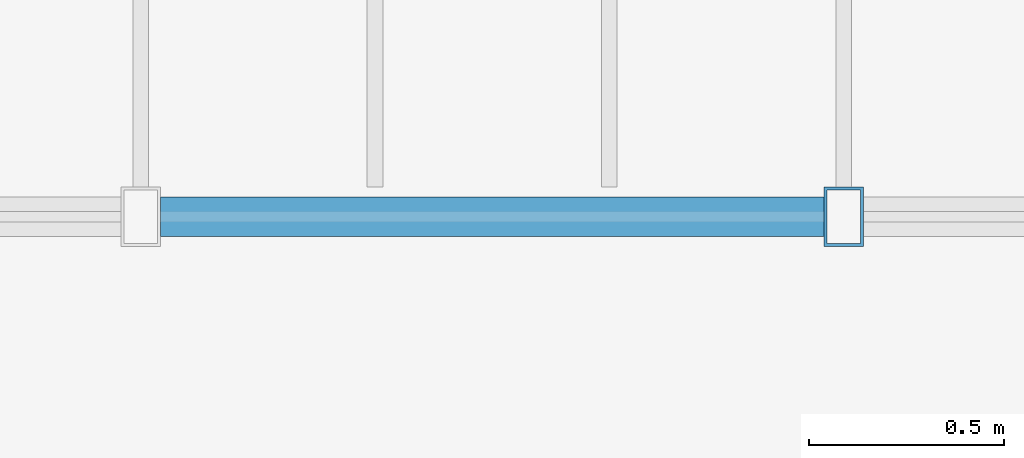
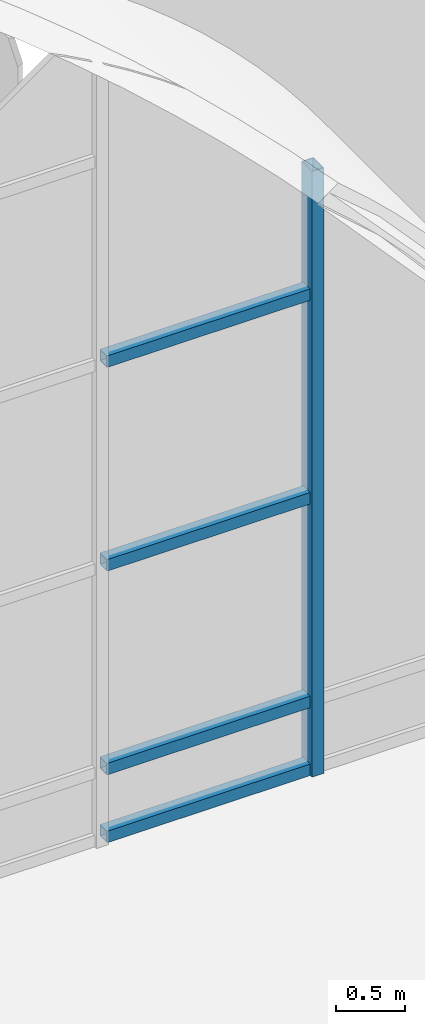
# One storey, part 42 of 169: 5 members, 1 element without a shape of its own.
"""IFC4 building model written with IfcOpenShell, lengths in metres."""

from ifc_helpers import new_model, si_unit, direction, frame, origin, origin_2d, place, context, subcontext, project, spatial, hollow_rectangle, extrude, material, layer, layer_set, material_profile, profile_set, type_object, element, aggregate, save


model = new_model("IFC4")

# Units and contexts
model_context = context("Model", 3, precision=1e-05, world=origin(), true_north=direction((0.0, 1.0)))
body_context = subcontext(model_context, "Body", "Model", "MODEL_VIEW")
ifc_project = project(units=[si_unit("LENGTHUNIT", "METRE"), si_unit("AREAUNIT", "SQUARE_METRE"), si_unit("VOLUMEUNIT", "CUBIC_METRE"), si_unit("PLANEANGLEUNIT", "RADIAN"), si_unit("MASSUNIT", "GRAM", prefix="KILO")], contexts=[model_context])

# Site, building, storey
site_placement = place(None, origin())
site = spatial("IfcSite", under=ifc_project, at=site_placement, CompositionType="ELEMENT")
building_placement = place(site_placement, origin())
building = spatial("IfcBuilding", under=site, at=building_placement, Name="Verrick Yard Athletic Hall", CompositionType="ELEMENT")
storey_placement = place(building_placement, frame((0.0, 0.0, 4.39990234375)))
storey = spatial("IfcBuildingStorey", under=building, at=storey_placement, Name="L01", CompositionType="ELEMENT", Elevation=4.39990234375)

# Curtain wall, members
ifc_material_1 = material(Name="Aluminium and glass curtain wall", Category="aluminium")
ifc_layer = layer(ifc_material_1, 0.14990234375)
ifc_layer_set = layer_set([ifc_layer], Name="Arcade glazing arch")
curtain_wall_type = type_object("IfcCurtainWallType", Name="Arcade glazing arch", PredefinedType="NOTDEFINED", material=ifc_layer_set)
curtain_wall_placement = place(storey_placement, origin())
curtain_wall = element("IfcCurtainWall", 1, at=curtain_wall_placement, inside=storey, type_object=curtain_wall_type, Name="Arcade glazing N6", PredefinedType="NOTDEFINED")
ifc_material_2 = material(Name="Structural steel HSS Class C 350W (CSA G40.20/G40.21)", Category="steel")
ifc_material_profile_1 = material_profile(ifc_material_2, hollow_rectangle(XDim=0.1015625, YDim=0.15234375, WallThickness=0.008056640625, at=origin_2d()), Name="HSS152x102x7.9")
ifc_profile_set_1 = profile_set([ifc_material_profile_1], Name="Structural steel HSS Class C 350W (CSA G40.20/G40.21)")
member_type_1 = type_object("IfcMemberType", Name="Curtain wall mullion HSS152x102x7.9", PredefinedType="MULLION", material=ifc_profile_set_1)
member_1_placement = place(storey_placement, frame((137.800048828125, 53.10009765625, 0.0), z_axis=(0.0, 0.0, 1.0), x_axis=(1.0, 0.0, 0.0)))
member_1 = element("IfcMember", 2, at=member_1_placement, type_object=member_type_1, Name="Arcade glazing N6 mullion 8", PredefinedType="MULLION", context=body_context, shape_type="SweptSolid", body=[
    extrude(hollow_rectangle(XDim=0.1015625, YDim=0.15234375, WallThickness=0.008056640625, at=origin_2d()), origin(), (0.0, 0.0, 1.0), 5.351806640625),
])
ifc_material_profile_2 = material_profile(ifc_material_2, hollow_rectangle(XDim=0.1015625, YDim=0.1015625, WallThickness=0.00634765625, at=origin_2d()), Name="HSS102x102x6.4")
ifc_profile_set_2 = profile_set([ifc_material_profile_2], Name="Structural steel HSS Class C 350W (CSA G40.20/G40.21)")
member_type_2 = type_object("IfcMemberType", Name="Curtain wall transom HSS102x102x6.4", PredefinedType="USERDEFINED", material=ifc_profile_set_2)
member_2_placement = place(storey_placement, frame((136.05078125, 53.10009765625, 0.05078125), z_axis=(1.0, 0.0, 0.0), x_axis=(0.0, 1.0, 0.0)))
member_2 = element("IfcMember", 3, at=member_2_placement, type_object=member_type_2, Name="Arcade glazing N6 transom 27", ObjectType="TRANSOM", PredefinedType="USERDEFINED", context=body_context, shape_type="SweptSolid", body=[
    extrude(hollow_rectangle(XDim=0.1015625, YDim=0.1015625, WallThickness=0.00634765625, at=origin_2d()), origin(), (0.0, 0.0, 1.0), 1.698486328125),
])
member_3_placement = place(storey_placement, frame((136.05078125, 53.10009765625, 0.650146484375), z_axis=(1.0, 0.0, 0.0), x_axis=(0.0, 1.0, 0.0)))
member_3 = element("IfcMember", 4, at=member_3_placement, type_object=member_type_2, Name="Arcade glazing N6 transom 28", ObjectType="TRANSOM", PredefinedType="USERDEFINED", context=body_context, shape_type="SweptSolid", body=[
    extrude(hollow_rectangle(XDim=0.1015625, YDim=0.1015625, WallThickness=0.00634765625, at=origin_2d()), origin(), (0.0, 0.0, 1.0), 1.698486328125),
])
member_4_placement = place(storey_placement, frame((136.05078125, 53.10009765625, 2.4501953125), z_axis=(1.0, 0.0, 0.0), x_axis=(0.0, 1.0, 0.0)))
member_4 = element("IfcMember", 5, at=member_4_placement, type_object=member_type_2, Name="Arcade glazing N6 transom 29", ObjectType="TRANSOM", PredefinedType="USERDEFINED", context=body_context, shape_type="SweptSolid", body=[
    extrude(hollow_rectangle(XDim=0.1015625, YDim=0.1015625, WallThickness=0.00634765625, at=origin_2d()), origin(), (0.0, 0.0, 1.0), 1.698486328125),
])
member_5_placement = place(storey_placement, frame((136.05078125, 53.10009765625, 4.25), z_axis=(1.0, 0.0, 0.0), x_axis=(0.0, 1.0, 0.0)))
member_5 = element("IfcMember", 6, at=member_5_placement, type_object=member_type_2, Name="Arcade glazing N6 transom 30", ObjectType="TRANSOM", PredefinedType="USERDEFINED", context=body_context, shape_type="SweptSolid", body=[
    extrude(hollow_rectangle(XDim=0.1015625, YDim=0.1015625, WallThickness=0.00634765625, at=origin_2d()), origin(), (0.0, 0.0, 1.0), 1.698486328125),
])
aggregate(curtain_wall, [member_1, member_2, member_3, member_4, member_5])

save(model, "model.ifc")
